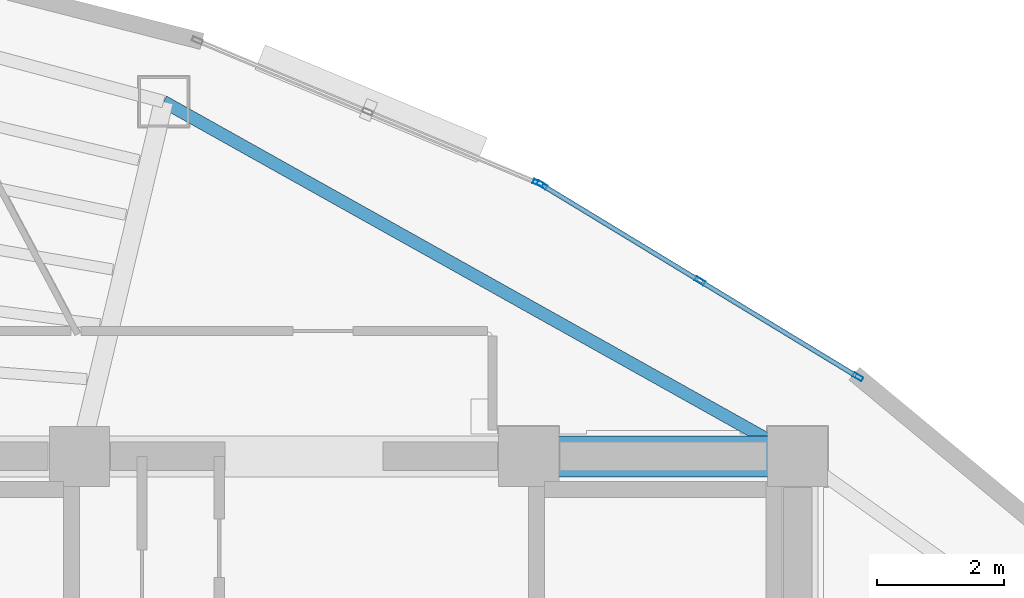
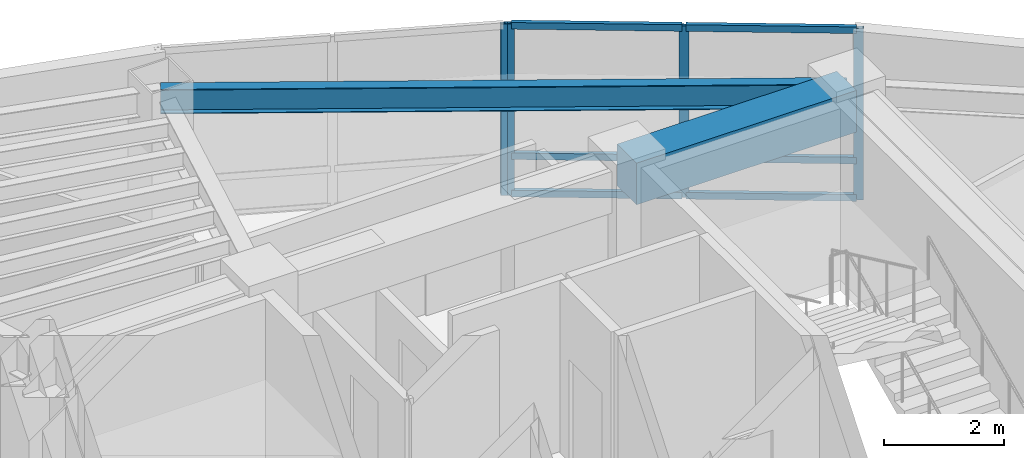
# One storey, part 10 of 15: 10 members, 2 beams, 2 elements without a shape of their own.
"""IFC4 building model written with IfcOpenShell, lengths in metres."""

from ifc_helpers import new_model, si_unit, direction, frame, origin, origin_2d, place, context, subcontext, project, spatial, rectangle, hollow_rectangle, i_section, extrude, material, layer, layer_set, material_profile, profile_set, type_object, element, aggregate, save


model = new_model("IFC4")

# Units and contexts
model_context = context("Model", 3, precision=1e-05, world=origin(), true_north=direction((0.0, 1.0)))
body_context = subcontext(model_context, "Body", "Model", "MODEL_VIEW")
ifc_project = project(units=[si_unit("LENGTHUNIT", "METRE"), si_unit("AREAUNIT", "SQUARE_METRE"), si_unit("VOLUMEUNIT", "CUBIC_METRE"), si_unit("PLANEANGLEUNIT", "RADIAN"), si_unit("MASSUNIT", "GRAM", prefix="KILO")], contexts=[model_context])

# Site, building, storey
site_placement = place(None, origin())
site = spatial("IfcSite", under=ifc_project, at=site_placement, CompositionType="ELEMENT")
building_placement = place(site_placement, origin())
building = spatial("IfcBuilding", under=site, at=building_placement, Name="Menara Vayukalpa", CompositionType="ELEMENT")
storey_placement = place(building_placement, frame((0.0, 0.0, 254.580078125)))
storey = spatial("IfcBuildingStorey", under=building, at=storey_placement, Name="L64", CompositionType="ELEMENT", Elevation=254.580078125)

# Beams
ifc_material_1 = material(Name="Concrete C60/75", Category="concrete")
ifc_material_profile_1 = material_profile(ifc_material_1, rectangle(XDim=0.64990234375, YDim=0.85009765625, at=origin_2d()), Name="RC 650x850")
ifc_profile_set_1 = profile_set([ifc_material_profile_1], Name="Concrete C60/75")
beam_type_1 = type_object("IfcBeamType", Name="BM-CB1", PredefinedType="BEAM", material=ifc_profile_set_1)
beam_1_placement = place(storey_placement, frame((29.14990234375, 26.800048828125, 3.074951171875), z_axis=(1.0, 0.0, 0.0), x_axis=(0.0, 1.0, 0.0)))
element("IfcBeam", 1, at=beam_1_placement, inside=storey, type_object=beam_type_1, Name="L64 Core Tie Beam CBR6", PredefinedType="BEAM", context=body_context, shape_type="SweptSolid", body=[
    extrude(rectangle(XDim=0.64990234375, YDim=0.85009765625, at=origin_2d()), origin(), (0.0, 0.0, 1.0), 4.25),
])
ifc_material_2 = material(Name="Steel S355", Category="steel")
ifc_material_profile_2 = material_profile(ifc_material_2, i_section(OverallWidth=0.199951171875, OverallDepth=0.5, WebThickness=0.010009765625, FlangeThickness=0.01611328125, at=origin_2d()), Name="WF 500x200x10x16")
ifc_profile_set_2 = profile_set([ifc_material_profile_2], Name="Steel S355")
beam_type_2 = type_object("IfcBeamType", Name="BM-SP3", PredefinedType="SPANDREL", material=ifc_profile_set_2)
beam_2_placement = place(storey_placement, frame((33.39990234375, 26.800048828125, 3.25), z_axis=(-0.87270577288, 0.48824648896, 0.0), x_axis=(-0.48824648896, -0.87270577288, 0.0)))
element("IfcBeam", 2, at=beam_2_placement, inside=storey, type_object=beam_type_2, Name="L64 Perimeter Spandrel Beam SP02", PredefinedType="SPANDREL", context=body_context, shape_type="SweptSolid", body=[
    extrude(i_section(OverallWidth=0.199951171875, OverallDepth=0.5, WebThickness=0.010009765625, FlangeThickness=0.01611328125, at=origin_2d()), origin(), (0.0, 0.0, 1.0), 11.479248046875),
])

# Curtain wall, members
ifc_material_3 = material(Name="Anodised Terracotta Aluminium Alloy 6063-T6", Category="masonry")
ifc_layer = layer(ifc_material_3, 0.1650390625)
ifc_layer_set = layer_set([ifc_layer], Name="Anodised Terracotta Aluminium Alloy 6063-T6")
curtain_wall_type = type_object("IfcCurtainWallType", Name="CW-CW6", PredefinedType="USERDEFINED", material=ifc_layer_set)
curtain_wall_1_placement = place(storey_placement, origin())
curtain_wall_1 = element("IfcCurtainWall", 3, at=curtain_wall_1_placement, inside=storey, type_object=curtain_wall_type, Name="L64 Observation and Executive Curtain Wall CW6 04", ObjectType="UNITISED", PredefinedType="USERDEFINED")
ifc_material_4 = material(Name="Anodised Terracotta Aluminium Alloy 6063-T6", Category="masonry")
ifc_material_profile_3 = material_profile(ifc_material_4, hollow_rectangle(XDim=0.070068359375, YDim=0.1650390625, WallThickness=0.00390625, at=origin_2d()), Name="ALU 70x165x4")
ifc_profile_set_3 = profile_set([ifc_material_profile_3], Name="Anodised Terracotta Aluminium Alloy 6063-T6")
member_type_1 = type_object("IfcMemberType", Name="CWM-CW6", PredefinedType="MULLION", material=ifc_profile_set_3)
member_1_placement = place(storey_placement, frame((34.35009765625, 28.056396484375, 0.0), z_axis=(0.0, 0.0, 1.0), x_axis=(-0.519175574558, -0.854667609532, 0.0)))
member_1 = element("IfcMember", 4, at=member_1_placement, type_object=member_type_1, Name="CW6 mullion 1", PredefinedType="MULLION", context=body_context, shape_type="SweptSolid", body=[
    extrude(hollow_rectangle(XDim=0.070068359375, YDim=0.1650390625, WallThickness=0.00390625, at=origin_2d()), origin(), (0.0, 0.0, 1.0), 3.5),
])
member_2_placement = place(storey_placement, frame((31.85546875, 29.57177734375, 0.0), z_axis=(0.0, 0.0, 1.0), x_axis=(-0.519175574558, -0.854667609532, 0.0)))
member_2 = element("IfcMember", 5, at=member_2_placement, type_object=member_type_1, Name="CW6 mullion 2", PredefinedType="MULLION", context=body_context, shape_type="SweptSolid", body=[
    extrude(hollow_rectangle(XDim=0.070068359375, YDim=0.1650390625, WallThickness=0.00390625, at=origin_2d()), origin(), (0.0, 0.0, 1.0), 3.5),
])
member_3_placement = place(storey_placement, frame((29.36083984375, 31.087158203125, 0.0), z_axis=(0.0, 0.0, 1.0), x_axis=(-0.519175574558, -0.854667609532, 0.0)))
member_3 = element("IfcMember", 6, at=member_3_placement, type_object=member_type_1, Name="CW6 mullion 3", PredefinedType="MULLION", context=body_context, shape_type="SweptSolid", body=[
    extrude(hollow_rectangle(XDim=0.070068359375, YDim=0.1650390625, WallThickness=0.00390625, at=origin_2d()), origin(), (0.0, 0.0, 1.0), 3.5),
])

# Curtain wall, member
curtain_wall_2_placement = place(storey_placement, origin())
curtain_wall_2 = element("IfcCurtainWall", 7, at=curtain_wall_2_placement, inside=storey, type_object=curtain_wall_type, Name="L64 Observation and Executive Curtain Wall CW6 05", ObjectType="UNITISED", PredefinedType="USERDEFINED")
member_4_placement = place(storey_placement, frame((29.298828125, 31.118896484375, 0.0), z_axis=(0.0, 0.0, 1.0), x_axis=(-0.385899911703, -0.922540653927, 0.0)))
member_4 = element("IfcMember", 8, at=member_4_placement, type_object=member_type_1, Name="CW6 mullion 1", PredefinedType="MULLION", context=body_context, shape_type="SweptSolid", body=[
    extrude(hollow_rectangle(XDim=0.070068359375, YDim=0.1650390625, WallThickness=0.00390625, at=origin_2d()), origin(), (0.0, 0.0, 1.0), 3.5),
])
aggregate(curtain_wall_2, [member_4])

# Member
ifc_material_5 = material(Name="Anodised Terracotta Aluminium Alloy 6063-T6", Category="masonry")
ifc_material_profile_4 = material_profile(ifc_material_5, hollow_rectangle(XDim=0.074951171875, YDim=0.135009765625, WallThickness=0.00390625, at=origin_2d()), Name="ALU 75x135x4")
ifc_profile_set_4 = profile_set([ifc_material_profile_4], Name="Anodised Terracotta Aluminium Alloy 6063-T6")
member_type_2 = type_object("IfcMemberType", Name="CWT-CW6", PredefinedType="USERDEFINED", material=ifc_profile_set_4)
member_5_placement = place(storey_placement, frame((34.320068359375, 28.07470703125, 0.037353515625), z_axis=(-0.854674800659, 0.519163736328, 0.0), x_axis=(-0.519163736328, -0.85467480066, 0.0)))
member_5 = element("IfcMember", 9, at=member_5_placement, type_object=member_type_2, Name="CW6 transom 1.1", ObjectType="TRANSOM", PredefinedType="USERDEFINED", context=body_context, shape_type="SweptSolid", body=[
    extrude(hollow_rectangle(XDim=0.074951171875, YDim=0.135009765625, WallThickness=0.00390625, at=origin_2d()), origin(), (0.0, 0.0, 1.0), 2.848876953125),
])

member_6_placement = place(storey_placement, frame((34.320068359375, 28.07470703125, 0.7998046875), z_axis=(-0.854674800659, 0.519163736328, 0.0), x_axis=(-0.519163736328, -0.85467480066, 0.0)))
member_6 = element("IfcMember", 10, at=member_6_placement, type_object=member_type_2, Name="CW6 transom 1.2", ObjectType="TRANSOM", PredefinedType="USERDEFINED", context=body_context, shape_type="SweptSolid", body=[
    extrude(hollow_rectangle(XDim=0.074951171875, YDim=0.135009765625, WallThickness=0.00390625, at=origin_2d()), origin(), (0.0, 0.0, 1.0), 2.848876953125),
])

member_7_placement = place(storey_placement, frame((34.320068359375, 28.07470703125, 3.46240234375), z_axis=(-0.854674800659, 0.519163736328, 0.0), x_axis=(-0.519163736328, -0.85467480066, 0.0)))
member_7 = element("IfcMember", 11, at=member_7_placement, type_object=member_type_2, Name="CW6 transom 1.3", ObjectType="TRANSOM", PredefinedType="USERDEFINED", context=body_context, shape_type="SweptSolid", body=[
    extrude(hollow_rectangle(XDim=0.074951171875, YDim=0.135009765625, WallThickness=0.00390625, at=origin_2d()), origin(), (0.0, 0.0, 1.0), 2.848876953125),
])

member_8_placement = place(storey_placement, frame((31.825439453125, 29.590087890625, 0.037353515625), z_axis=(-0.854689729536, 0.519139158825, 0.0), x_axis=(-0.519139158825, -0.854689729536, 0.0)))
member_8 = element("IfcMember", 12, at=member_8_placement, type_object=member_type_2, Name="CW6 transom 2.1", ObjectType="TRANSOM", PredefinedType="USERDEFINED", context=body_context, shape_type="SweptSolid", body=[
    extrude(hollow_rectangle(XDim=0.074951171875, YDim=0.135009765625, WallThickness=0.00390625, at=origin_2d()), origin(), (0.0, 0.0, 1.0), 2.848388671875),
])

member_9_placement = place(storey_placement, frame((31.825439453125, 29.590087890625, 0.7998046875), z_axis=(-0.854689729536, 0.519139158825, 0.0), x_axis=(-0.519139158825, -0.854689729536, 0.0)))
member_9 = element("IfcMember", 13, at=member_9_placement, type_object=member_type_2, Name="CW6 transom 2.2", ObjectType="TRANSOM", PredefinedType="USERDEFINED", context=body_context, shape_type="SweptSolid", body=[
    extrude(hollow_rectangle(XDim=0.074951171875, YDim=0.135009765625, WallThickness=0.00390625, at=origin_2d()), origin(), (0.0, 0.0, 1.0), 2.848388671875),
])

member_10_placement = place(storey_placement, frame((31.825439453125, 29.590087890625, 3.46240234375), z_axis=(-0.854689729536, 0.519139158825, 0.0), x_axis=(-0.519139158825, -0.854689729536, 0.0)))
member_10 = element("IfcMember", 14, at=member_10_placement, type_object=member_type_2, Name="CW6 transom 2.3", ObjectType="TRANSOM", PredefinedType="USERDEFINED", context=body_context, shape_type="SweptSolid", body=[
    extrude(hollow_rectangle(XDim=0.074951171875, YDim=0.135009765625, WallThickness=0.00390625, at=origin_2d()), origin(), (0.0, 0.0, 1.0), 2.848388671875),
])

aggregate(curtain_wall_1, [member_1, member_2, member_3, member_5, member_6, member_7, member_8, member_9, member_10])

save(model, "model.ifc")
